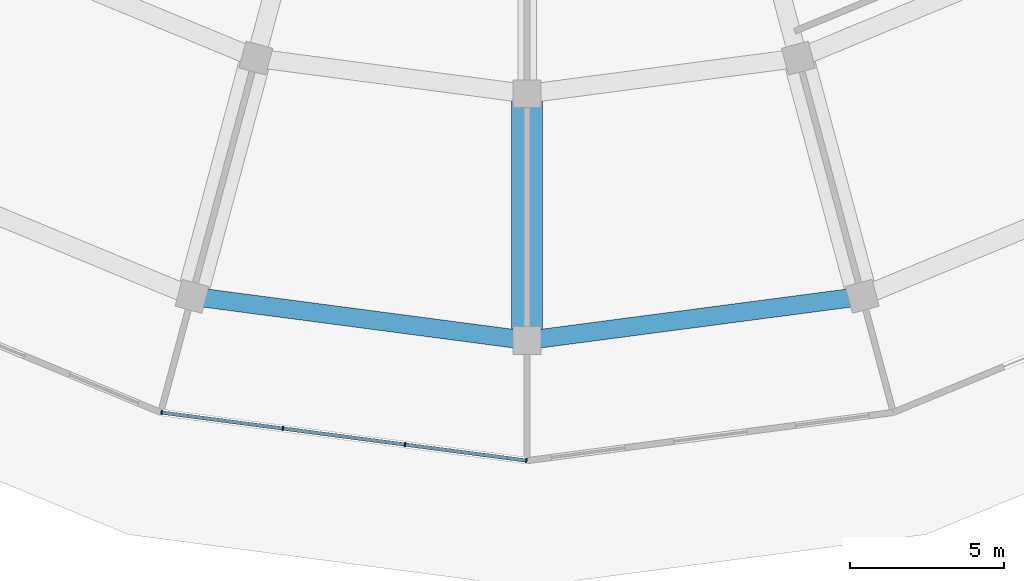
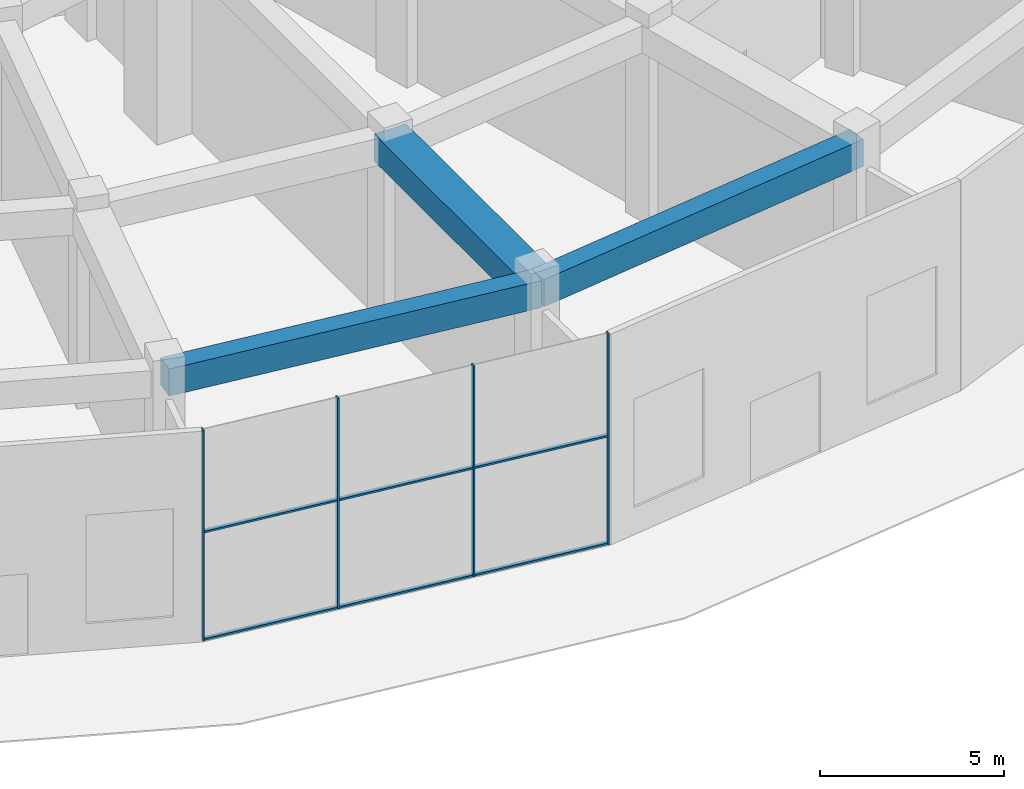
# One storey, part 2 of 31: 10 members, 3 beams, 1 element without a shape of its own.
"""IFC4 building model written with IfcOpenShell, lengths in metres."""

from ifc_helpers import new_model, si_unit, direction, frame, origin, origin_2d, place, context, subcontext, project, spatial, rectangle, extrude, material, layer, layer_set, material_profile, profile_set, type_object, element, aggregate, save


model = new_model("IFC4")

# Units and contexts
model_context = context("Model", 3, precision=1e-05, world=origin(), true_north=direction((0.0, 1.0)))
body_context = subcontext(model_context, "Body", "Model", "MODEL_VIEW")
ifc_project = project(units=[si_unit("LENGTHUNIT", "METRE"), si_unit("AREAUNIT", "SQUARE_METRE"), si_unit("VOLUMEUNIT", "CUBIC_METRE"), si_unit("PLANEANGLEUNIT", "RADIAN"), si_unit("MASSUNIT", "GRAM", prefix="KILO")], contexts=[model_context])

# Site, building, storey
site_placement = place(None, origin())
site = spatial("IfcSite", under=ifc_project, at=site_placement, CompositionType="ELEMENT")
building_placement = place(site_placement, origin())
building = spatial("IfcBuilding", under=site, at=building_placement, Name="Torre Brocal", CompositionType="ELEMENT")
storey_placement = place(building_placement, origin())
storey = spatial("IfcBuildingStorey", under=building, at=storey_placement, Name="L00", CompositionType="ELEMENT", Elevation=0.0)

# Curtain wall, members
ifc_material_1 = material(Name="Aluminium and glass", Category="aluminium")
ifc_layer = layer(ifc_material_1, 0.199951171875)
ifc_layer_set = layer_set([ifc_layer], Name="Aluminium and glass")
curtain_wall_type = type_object("IfcCurtainWallType", Name="CW-3 CURTAIN WALL 7000 HIGH", PredefinedType="NOTDEFINED", material=ifc_layer_set)
curtain_wall_placement = place(storey_placement, origin())
curtain_wall = element("IfcCurtainWall", 1, at=curtain_wall_placement, inside=storey, type_object=curtain_wall_type, Name="CW-3 RUN 18", PredefinedType="NOTDEFINED")
ifc_material_2 = material(Name="Aluminium, dark anodised", Category="aluminium")
ifc_material_profile_1 = material_profile(ifc_material_2, rectangle(XDim=0.14990234375, YDim=0.050048828125, at=origin_2d()), Name="CW-3 MULLION 50X150")
ifc_profile_set_1 = profile_set([ifc_material_profile_1], Name="Aluminium, dark anodised")
member_type_1 = type_object("IfcMemberType", Name="CW-3 MULLION 50X150", PredefinedType="MULLION", material=ifc_profile_set_1)
member_1_placement = place(storey_placement, frame((68.145263671875, 30.66162109375, 0.0), z_axis=(0.0, 0.0, 1.0), x_axis=(0.130526192237, 0.991444861372, 0.0)))
member_1 = element("IfcMember", 2, at=member_1_placement, type_object=member_type_1, Name="CW3-1 mullion 1", PredefinedType="MULLION", context=body_context, shape_type="SweptSolid", body=[
    extrude(rectangle(XDim=0.14990234375, YDim=0.050048828125, at=origin_2d()), origin(), (0.0, 0.0, 1.0), 7.0),
])
member_2_placement = place(storey_placement, frame((72.080322265625, 30.1435546875, 0.0), z_axis=(0.0, 0.0, 1.0), x_axis=(0.130526192237, 0.991444861372, 0.0)))
member_2 = element("IfcMember", 3, at=member_2_placement, type_object=member_type_1, Name="CW3-1 mullion 2", PredefinedType="MULLION", context=body_context, shape_type="SweptSolid", body=[
    extrude(rectangle(XDim=0.14990234375, YDim=0.050048828125, at=origin_2d()), origin(), (0.0, 0.0, 1.0), 7.0),
])
member_3_placement = place(storey_placement, frame((76.0400390625, 29.6220703125, 0.0), z_axis=(0.0, 0.0, 1.0), x_axis=(0.130526192237, 0.991444861372, 0.0)))
member_3 = element("IfcMember", 4, at=member_3_placement, type_object=member_type_1, Name="CW3-1 mullion 3", PredefinedType="MULLION", context=body_context, shape_type="SweptSolid", body=[
    extrude(rectangle(XDim=0.14990234375, YDim=0.050048828125, at=origin_2d()), origin(), (0.0, 0.0, 1.0), 7.0),
])
member_4_placement = place(storey_placement, frame((79.97509765625, 29.104248046875, 0.0), z_axis=(0.0, 0.0, 1.0), x_axis=(0.130526192237, 0.991444861372, 0.0)))
member_4 = element("IfcMember", 5, at=member_4_placement, type_object=member_type_1, Name="CW3-1 mullion 4", PredefinedType="MULLION", context=body_context, shape_type="SweptSolid", body=[
    extrude(rectangle(XDim=0.14990234375, YDim=0.050048828125, at=origin_2d()), origin(), (0.0, 0.0, 1.0), 7.0),
])
ifc_material_3 = material(Name="Aluminium, dark anodised", Category="aluminium")
ifc_material_profile_2 = material_profile(ifc_material_3, rectangle(XDim=0.1201171875, YDim=0.06005859375, at=origin_2d()), Name="CW-3 TRANSOM 120X60")
ifc_profile_set_2 = profile_set([ifc_material_profile_2], Name="Aluminium, dark anodised")
member_type_2 = type_object("IfcMemberType", Name="CW-3 TRANSOM 120X60", PredefinedType="USERDEFINED", material=ifc_profile_set_2)
member_5_placement = place(storey_placement, frame((68.169921875, 30.658203125, 0.030029296875), z_axis=(0.991446872654, -0.130510914119, 0.0), x_axis=(0.130510914119, 0.991446872654, 0.0)))
member_5 = element("IfcMember", 6, at=member_5_placement, type_object=member_type_2, Name="CW3-1 transom 1.1", ObjectType="TRANSOM", PredefinedType="USERDEFINED", context=body_context, shape_type="SweptSolid", body=[
    extrude(rectangle(XDim=0.1201171875, YDim=0.06005859375, at=origin_2d()), origin(), (0.0, 0.0, 1.0), 3.9189453125),
])
member_6_placement = place(storey_placement, frame((68.169921875, 30.658203125, 3.60009765625), z_axis=(0.991446872654, -0.130510914119, 0.0), x_axis=(0.130510914119, 0.991446872654, 0.0)))
member_6 = element("IfcMember", 7, at=member_6_placement, type_object=member_type_2, Name="CW3-1 transom 1.2", ObjectType="TRANSOM", PredefinedType="USERDEFINED", context=body_context, shape_type="SweptSolid", body=[
    extrude(rectangle(XDim=0.1201171875, YDim=0.06005859375, at=origin_2d()), origin(), (0.0, 0.0, 1.0), 3.9189453125),
])
member_7_placement = place(storey_placement, frame((72.10498046875, 30.14013671875, 0.030029296875), z_axis=(0.991450292021, -0.130484935729, 0.0), x_axis=(0.130484935729, 0.991450292021, 0.0)))
member_7 = element("IfcMember", 8, at=member_7_placement, type_object=member_type_2, Name="CW3-1 transom 2.1", ObjectType="TRANSOM", PredefinedType="USERDEFINED", context=body_context, shape_type="SweptSolid", body=[
    extrude(rectangle(XDim=0.1201171875, YDim=0.06005859375, at=origin_2d()), origin(), (0.0, 0.0, 1.0), 3.944091796875),
])
member_8_placement = place(storey_placement, frame((72.10498046875, 30.14013671875, 3.60009765625), z_axis=(0.991450292021, -0.130484935729, 0.0), x_axis=(0.130484935729, 0.991450292021, 0.0)))
member_8 = element("IfcMember", 9, at=member_8_placement, type_object=member_type_2, Name="CW3-1 transom 2.2", ObjectType="TRANSOM", PredefinedType="USERDEFINED", context=body_context, shape_type="SweptSolid", body=[
    extrude(rectangle(XDim=0.1201171875, YDim=0.06005859375, at=origin_2d()), origin(), (0.0, 0.0, 1.0), 3.944091796875),
])
member_9_placement = place(storey_placement, frame((76.06494140625, 29.618896484375, 0.030029296875), z_axis=(0.991446872654, -0.130510914119, 0.0), x_axis=(0.130510914119, 0.991446872654, 0.0)))
member_9 = element("IfcMember", 10, at=member_9_placement, type_object=member_type_2, Name="CW3-1 transom 3.1", ObjectType="TRANSOM", PredefinedType="USERDEFINED", context=body_context, shape_type="SweptSolid", body=[
    extrude(rectangle(XDim=0.1201171875, YDim=0.06005859375, at=origin_2d()), origin(), (0.0, 0.0, 1.0), 3.9189453125),
])
member_10_placement = place(storey_placement, frame((76.06494140625, 29.618896484375, 3.60009765625), z_axis=(0.991446872654, -0.130510914119, 0.0), x_axis=(0.130510914119, 0.991446872654, 0.0)))
member_10 = element("IfcMember", 11, at=member_10_placement, type_object=member_type_2, Name="CW3-1 transom 3.2", ObjectType="TRANSOM", PredefinedType="USERDEFINED", context=body_context, shape_type="SweptSolid", body=[
    extrude(rectangle(XDim=0.1201171875, YDim=0.06005859375, at=origin_2d()), origin(), (0.0, 0.0, 1.0), 3.9189453125),
])
aggregate(curtain_wall, [member_1, member_2, member_3, member_4, member_5, member_6, member_7, member_8, member_9, member_10])

# Beams
ifc_material_4 = material(Name="Concrete C50", Category="concrete")
ifc_material_profile_3 = material_profile(ifc_material_4, rectangle(XDim=0.60009765625, YDim=0.89990234375, at=origin_2d()), Name="RC 600X900")
ifc_profile_set_3 = profile_set([ifc_material_profile_3], Name="Concrete C50")
beam_type_1 = type_object("IfcBeamType", Name="RC BEAM 600X900 C50 TOP 6550", PredefinedType="BEAM", material=ifc_profile_set_3)
for number, where, z_axis, x_axis, name in (
    (12, (69.129638671875, 34.43115234375, 6.10009765625), (0.991444364165, -0.130529968843, 0.0), (0.130529968843, 0.991444364165, 0.0), "Beam BT-07"),
    (13, (80.0, 33.0, 6.10009765625), (0.991444364165, 0.130529968843, 0.0), (-0.130529968843, 0.991444364165, 0.0), "Beam BT-07"),
):
    element("IfcBeam", number, at=place(storey_placement, frame(where, z_axis=z_axis, x_axis=x_axis)), inside=storey, type_object=beam_type_1, Name=name, PredefinedType="BEAM", context=body_context, shape_type="SweptSolid", body=[
        extrude(rectangle(XDim=0.60009765625, YDim=0.89990234375, at=origin_2d()), origin(), (0.0, 0.0, 1.0), 10.964111328125),
    ])
ifc_material_5 = material(Name="Concrete C60", Category="concrete")
ifc_material_profile_4 = material_profile(ifc_material_5, rectangle(XDim=1.0, YDim=0.89990234375, at=origin_2d()), Name="RC 1000X900")
ifc_profile_set_4 = profile_set([ifc_material_profile_4], Name="Concrete C60")
beam_type_2 = type_object("IfcBeamType", Name="RC TRANSFER GIRDER 1000X900 C60 TOP 6550", PredefinedType="BEAM", material=ifc_profile_set_4)
beam_placement = place(storey_placement, frame((80.0, 41.0, 6.10009765625), z_axis=(0.0, -1.0, 0.0), x_axis=(1.0, 0.0, 0.0)))
element("IfcBeam", 14, at=beam_placement, inside=storey, type_object=beam_type_2, Name="Beam TG-01", PredefinedType="BEAM", context=body_context, shape_type="SweptSolid", body=[
    extrude(rectangle(XDim=1.0, YDim=0.89990234375, at=origin_2d()), origin(), (0.0, 0.0, 1.0), 8.0),
])

save(model, "model.ifc")
